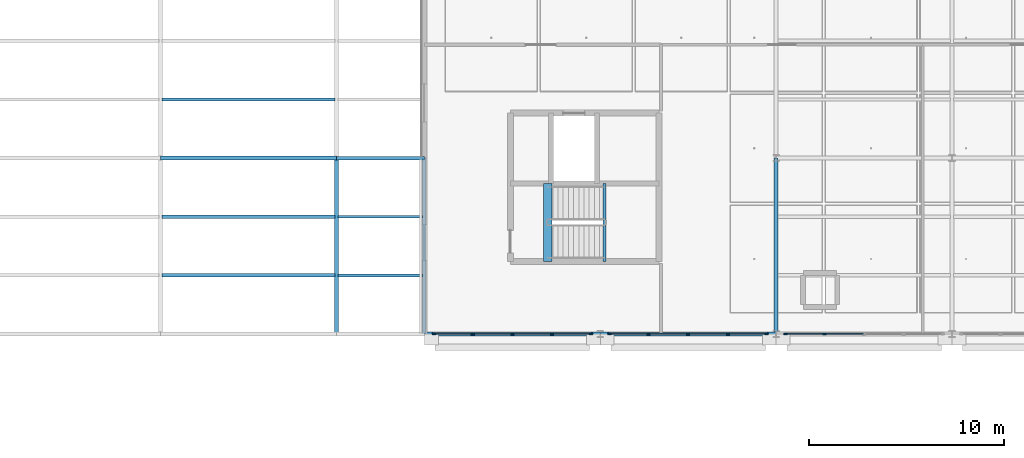
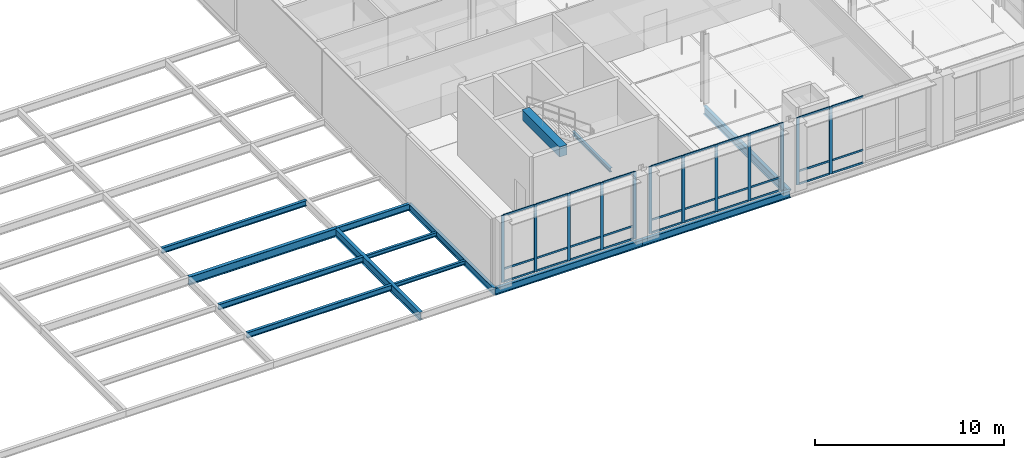
# One storey, part 28 of 66: 42 members, 14 beams, 3 elements without a shape of their own.
"""IFC4 building model written with IfcOpenShell, lengths in metres."""

from ifc_helpers import new_model, si_unit, direction, frame, origin, origin_2d, place, context, subcontext, project, spatial, rectangle, i_section, extrude, material, material_profile, profile_set, type_object, element, aggregate, save


model = new_model("IFC4")

# Units and contexts
model_context = context("Model", 3, precision=1e-05, world=origin(), true_north=direction((0.0, 1.0)))
body_context = subcontext(model_context, "Body", "Model", "MODEL_VIEW")
ifc_project = project(units=[si_unit("LENGTHUNIT", "METRE"), si_unit("AREAUNIT", "SQUARE_METRE"), si_unit("VOLUMEUNIT", "CUBIC_METRE"), si_unit("PLANEANGLEUNIT", "RADIAN"), si_unit("MASSUNIT", "GRAM", prefix="KILO"), si_unit("THERMODYNAMICTEMPERATUREUNIT", "KELVIN"), si_unit("POWERUNIT", "WATT")], contexts=[model_context])

# Site, building, storey
site_placement = place(None, origin())
site = spatial("IfcSite", under=ifc_project, at=site_placement, CompositionType="ELEMENT")
building_placement = place(site_placement, origin())
building = spatial("IfcBuilding", under=site, at=building_placement, Name="Tallowbark Science Centre", CompositionType="ELEMENT")
storey_placement = place(building_placement, frame((0.0, 0.0, 18.89990234375)))
storey = spatial("IfcBuildingStorey", under=building, at=storey_placement, Name="L04", CompositionType="ELEMENT", Elevation=18.89990234375)

# Beams
ifc_material_1 = material(Name="Concrete Grade N40 (40 MPa)", Category="concrete")
ifc_material_profile_1 = material_profile(ifc_material_1, rectangle(XDim=0.449951171875, YDim=0.64990234375, at=origin_2d()), Name="RC450x650")
ifc_profile_set_1 = profile_set([ifc_material_profile_1], Name="Concrete Grade N40 (40 MPa)")
beam_type_1 = type_object("IfcBeamType", Name="BM-GB2-N40", PredefinedType="BEAM", material=ifc_profile_set_1)
beam_1_placement = place(storey_placement, frame((118.81005859375, 75.699951171875, 4.175048828125), z_axis=(0.0, 1.0, 0.0), x_axis=(-1.0, 0.0, 0.0)))
element("IfcBeam", 1, at=beam_1_placement, inside=storey, type_object=beam_type_1, Name="Stair ST-02 Landing Nosing Beam L04", PredefinedType="BEAM", context=body_context, shape_type="SweptSolid", body=[
    extrude(rectangle(XDim=0.449951171875, YDim=0.64990234375, at=origin_2d()), origin(), (0.0, 0.0, 1.0), 3.9951171875),
])
ifc_material_2 = material(Name="Structural Steel Grade 300PLUS (300 MPa)", Category="steel")
ifc_material_profile_2 = material_profile(ifc_material_2, i_section(OverallWidth=0.177734375, OverallDepth=0.406494140625, WebThickness=0.0078125, FlangeThickness=0.0126953125, FilletRadius=0.011474609375, at=origin_2d()), Name="410UB59.7")
ifc_profile_set_2 = profile_set([ifc_material_profile_2], Name="Structural Steel Grade 300PLUS (300 MPa)")
beam_type_2 = type_object("IfcBeamType", Name="BM-UB410", PredefinedType="BEAM", material=ifc_profile_set_2)
beam_2_placement = place(storey_placement, frame((108.0, 81.0, -0.383056640625), z_axis=(1.0, 0.0, 0.0), x_axis=(0.0, 1.0, 0.0)))
element("IfcBeam", 2, at=beam_2_placement, inside=storey, type_object=beam_type_2, Name="Primary Girder GRDX-L04-1080-1125-810", PredefinedType="BEAM", context=body_context, shape_type="SweptSolid", body=[
    extrude(i_section(OverallWidth=0.177734375, OverallDepth=0.406494140625, WebThickness=0.0078125, FlangeThickness=0.0126953125, FilletRadius=0.011474609375, at=origin_2d()), origin(), (0.0, 0.0, 1.0), 4.5),
])
ifc_material_profile_3 = material_profile(ifc_material_2, i_section(OverallWidth=0.208984375, OverallDepth=0.532958984375, WebThickness=0.01025390625, FlangeThickness=0.015625, FilletRadius=0.013916015625, at=origin_2d()), Name="530UB92.4")
ifc_profile_set_3 = profile_set([ifc_material_profile_3], Name="Structural Steel Grade 300PLUS (300 MPa)")
beam_type_3 = type_object("IfcBeamType", Name="BM-UB530A", PredefinedType="BEAM", material=ifc_profile_set_3)
beam_3_placement = place(storey_placement, frame((99.0, 81.0, -0.4462890625), z_axis=(1.0, 0.0, 0.0), x_axis=(0.0, 1.0, 0.0)))
element("IfcBeam", 3, at=beam_3_placement, inside=storey, type_object=beam_type_3, Name="Primary Girder GRDX-L04-990-1080-810", PredefinedType="BEAM", context=body_context, shape_type="SweptSolid", body=[
    extrude(i_section(OverallWidth=0.208984375, OverallDepth=0.532958984375, WebThickness=0.01025390625, FlangeThickness=0.015625, FilletRadius=0.013916015625, at=origin_2d()), origin(), (0.0, 0.0, 1.0), 9.0),
])
ifc_material_profile_4 = material_profile(ifc_material_2, i_section(OverallWidth=0.208740234375, OverallDepth=0.5283203125, WebThickness=0.009521484375, FlangeThickness=0.01318359375, FilletRadius=0.013916015625, at=origin_2d()), Name="530UB82.0")
ifc_profile_set_4 = profile_set([ifc_material_profile_4], Name="Structural Steel Grade 300PLUS (300 MPa)")
beam_type_4 = type_object("IfcBeamType", Name="BM-UB530B", PredefinedType="BEAM", material=ifc_profile_set_4)
for number, where, z_axis, x_axis, name in (
    (4, (108.0, 72.0, -0.444091796875), (0.0, 1.0, 0.0), (-1.0, 0.0, 0.0), "Primary Girder GRDY-L04-1080-720-810"),
    (5, (130.5, 72.0, -0.444091796875), (0.0, 1.0, 0.0), (-1.0, 0.0, 0.0), "Primary Girder GRDY-L04-1305-720-810"),
):
    element("IfcBeam", number, at=place(storey_placement, frame(where, z_axis=z_axis, x_axis=x_axis)), inside=storey, type_object=beam_type_4, Name=name, PredefinedType="BEAM", context=body_context, shape_type="SweptSolid", body=[
        extrude(i_section(OverallWidth=0.208740234375, OverallDepth=0.5283203125, WebThickness=0.009521484375, FlangeThickness=0.01318359375, FilletRadius=0.013916015625, at=origin_2d()), origin(), (0.0, 0.0, 1.0), 9.0),
    ])

# Curtain wall, members
ifc_material_3 = material(Name="Unitised Thermally Broken Aluminium and Low-E Double Glazing", Category="aluminium")
curtain_wall_type = type_object("IfcCurtainWallType", Name="CW-SYS-FACADE", PredefinedType="NOTDEFINED", material=ifc_material_3)
curtain_wall_1_placement = place(storey_placement, origin())
curtain_wall_1 = element("IfcCurtainWall", 6, at=curtain_wall_1_placement, inside=storey, type_object=curtain_wall_type, Name="Unitised Curtain Wall OBS4-S-112 CW-L04-190", PredefinedType="NOTDEFINED")
ifc_material_4 = material(Name="Anodised Architectural Aluminium Alloy 6063-T6", Category="aluminium")
ifc_material_profile_5 = material_profile(ifc_material_4, rectangle(XDim=0.06494140625, YDim=0.179931640625, at=origin_2d()), Name="ALU65x180")
ifc_profile_set_5 = profile_set([ifc_material_profile_5], Name="Anodised Architectural Aluminium Alloy 6063-T6")
member_type_1 = type_object("IfcMemberType", Name="CWM-MUL-220", PredefinedType="MULLION", material=ifc_profile_set_5)
member_1_placement = place(storey_placement, frame((112.982421875, 72.0, 0.0), z_axis=(0.0, 0.0, 1.0), x_axis=(0.0, 1.0, 0.0)))
member_1 = element("IfcMember", 7, at=member_1_placement, type_object=member_type_1, Name="CW-01 mullion 1", PredefinedType="MULLION", context=body_context, shape_type="SweptSolid", body=[
    extrude(rectangle(XDim=0.06494140625, YDim=0.179931640625, at=origin_2d()), origin(), (0.0, 0.0, 1.0), 4.320068359375),
])
member_2_placement = place(storey_placement, frame((114.97509765625, 72.0, 0.0), z_axis=(0.0, 0.0, 1.0), x_axis=(0.0, 1.0, 0.0)))
member_2 = element("IfcMember", 8, at=member_2_placement, type_object=member_type_1, Name="CW-01 mullion 2", PredefinedType="MULLION", context=body_context, shape_type="SweptSolid", body=[
    extrude(rectangle(XDim=0.06494140625, YDim=0.179931640625, at=origin_2d()), origin(), (0.0, 0.0, 1.0), 4.320068359375),
])
member_3_placement = place(storey_placement, frame((117.0, 72.0, 0.0), z_axis=(0.0, 0.0, 1.0), x_axis=(0.0, 1.0, 0.0)))
member_3 = element("IfcMember", 9, at=member_3_placement, type_object=member_type_1, Name="CW-01 mullion 3", PredefinedType="MULLION", context=body_context, shape_type="SweptSolid", body=[
    extrude(rectangle(XDim=0.06494140625, YDim=0.179931640625, at=origin_2d()), origin(), (0.0, 0.0, 1.0), 4.320068359375),
])
member_4_placement = place(storey_placement, frame((119.02490234375, 72.0, 0.0), z_axis=(0.0, 0.0, 1.0), x_axis=(0.0, 1.0, 0.0)))
member_4 = element("IfcMember", 10, at=member_4_placement, type_object=member_type_1, Name="CW-01 mullion 4", PredefinedType="MULLION", context=body_context, shape_type="SweptSolid", body=[
    extrude(rectangle(XDim=0.06494140625, YDim=0.179931640625, at=origin_2d()), origin(), (0.0, 0.0, 1.0), 4.320068359375),
])
member_5_placement = place(storey_placement, frame((121.017578125, 72.0, 0.0), z_axis=(0.0, 0.0, 1.0), x_axis=(0.0, 1.0, 0.0)))
member_5 = element("IfcMember", 11, at=member_5_placement, type_object=member_type_1, Name="CW-01 mullion 5", PredefinedType="MULLION", context=body_context, shape_type="SweptSolid", body=[
    extrude(rectangle(XDim=0.06494140625, YDim=0.179931640625, at=origin_2d()), origin(), (0.0, 0.0, 1.0), 4.320068359375),
])

curtain_wall_2_placement = place(storey_placement, origin())
curtain_wall_2 = element("IfcCurtainWall", 12, at=curtain_wall_2_placement, inside=storey, type_object=curtain_wall_type, Name="Unitised Curtain Wall OBS4-S-121 CW-L04-192", PredefinedType="NOTDEFINED")
member_6_placement = place(storey_placement, frame((121.982421875, 72.0, 0.0), z_axis=(0.0, 0.0, 1.0), x_axis=(0.0, 1.0, 0.0)))
member_6 = element("IfcMember", 13, at=member_6_placement, type_object=member_type_1, Name="CW-01 mullion 1", PredefinedType="MULLION", context=body_context, shape_type="SweptSolid", body=[
    extrude(rectangle(XDim=0.06494140625, YDim=0.179931640625, at=origin_2d()), origin(), (0.0, 0.0, 1.0), 4.320068359375),
])
member_7_placement = place(storey_placement, frame((123.97509765625, 72.0, 0.0), z_axis=(0.0, 0.0, 1.0), x_axis=(0.0, 1.0, 0.0)))
member_7 = element("IfcMember", 14, at=member_7_placement, type_object=member_type_1, Name="CW-01 mullion 2", PredefinedType="MULLION", context=body_context, shape_type="SweptSolid", body=[
    extrude(rectangle(XDim=0.06494140625, YDim=0.179931640625, at=origin_2d()), origin(), (0.0, 0.0, 1.0), 4.320068359375),
])
member_8_placement = place(storey_placement, frame((126.0, 72.0, 0.0), z_axis=(0.0, 0.0, 1.0), x_axis=(0.0, 1.0, 0.0)))
member_8 = element("IfcMember", 15, at=member_8_placement, type_object=member_type_1, Name="CW-01 mullion 3", PredefinedType="MULLION", context=body_context, shape_type="SweptSolid", body=[
    extrude(rectangle(XDim=0.06494140625, YDim=0.179931640625, at=origin_2d()), origin(), (0.0, 0.0, 1.0), 4.320068359375),
])
member_9_placement = place(storey_placement, frame((128.02490234375, 72.0, 0.0), z_axis=(0.0, 0.0, 1.0), x_axis=(0.0, 1.0, 0.0)))
member_9 = element("IfcMember", 16, at=member_9_placement, type_object=member_type_1, Name="CW-01 mullion 4", PredefinedType="MULLION", context=body_context, shape_type="SweptSolid", body=[
    extrude(rectangle(XDim=0.06494140625, YDim=0.179931640625, at=origin_2d()), origin(), (0.0, 0.0, 1.0), 4.320068359375),
])
member_10_placement = place(storey_placement, frame((130.017578125, 72.0, 0.0), z_axis=(0.0, 0.0, 1.0), x_axis=(0.0, 1.0, 0.0)))
member_10 = element("IfcMember", 17, at=member_10_placement, type_object=member_type_1, Name="CW-01 mullion 5", PredefinedType="MULLION", context=body_context, shape_type="SweptSolid", body=[
    extrude(rectangle(XDim=0.06494140625, YDim=0.179931640625, at=origin_2d()), origin(), (0.0, 0.0, 1.0), 4.320068359375),
])

curtain_wall_3_placement = place(storey_placement, origin())
curtain_wall_3 = element("IfcCurtainWall", 18, at=curtain_wall_3_placement, inside=storey, type_object=curtain_wall_type, Name="Unitised Curtain Wall OBS4-S-130 CW-L04-193", PredefinedType="NOTDEFINED")
member_11_placement = place(storey_placement, frame((130.982421875, 72.0, 0.0), z_axis=(0.0, 0.0, 1.0), x_axis=(0.0, 1.0, 0.0)))
member_11 = element("IfcMember", 19, at=member_11_placement, type_object=member_type_1, Name="CW-01 mullion 1", PredefinedType="MULLION", context=body_context, shape_type="SweptSolid", body=[
    extrude(rectangle(XDim=0.06494140625, YDim=0.179931640625, at=origin_2d()), origin(), (0.0, 0.0, 1.0), 4.320068359375),
])
member_12_placement = place(storey_placement, frame((132.97509765625, 72.0, 0.0), z_axis=(0.0, 0.0, 1.0), x_axis=(0.0, 1.0, 0.0)))
member_12 = element("IfcMember", 20, at=member_12_placement, type_object=member_type_1, Name="CW-01 mullion 2", PredefinedType="MULLION", context=body_context, shape_type="SweptSolid", body=[
    extrude(rectangle(XDim=0.06494140625, YDim=0.179931640625, at=origin_2d()), origin(), (0.0, 0.0, 1.0), 4.320068359375),
])

# Member
ifc_material_profile_6 = material_profile(ifc_material_4, rectangle(XDim=0.054931640625, YDim=0.1201171875, at=origin_2d()), Name="ALU55x120")
ifc_profile_set_6 = profile_set([ifc_material_profile_6], Name="Anodised Architectural Aluminium Alloy 6063-T6")
member_type_2 = type_object("IfcMemberType", Name="CWM-TRN-150", PredefinedType="USERDEFINED", material=ifc_profile_set_6)
member_13_placement = place(storey_placement, frame((113.014892578125, 72.0, 0.027587890625), z_axis=(1.0, 0.0, 0.0), x_axis=(0.0, 1.0, 0.0)))
member_13 = element("IfcMember", 21, at=member_13_placement, type_object=member_type_2, Name="CW-01 transom 1.1", ObjectType="TRANSOM", PredefinedType="USERDEFINED", context=body_context, shape_type="SweptSolid", body=[
    extrude(rectangle(XDim=0.054931640625, YDim=0.1201171875, at=origin_2d()), origin(), (0.0, 0.0, 1.0), 1.927490234375),
])

member_14_placement = place(storey_placement, frame((113.014892578125, 72.0, 0.85009765625), z_axis=(1.0, 0.0, 0.0), x_axis=(0.0, 1.0, 0.0)))
member_14 = element("IfcMember", 22, at=member_14_placement, type_object=member_type_2, Name="CW-01 transom 1.2", ObjectType="TRANSOM", PredefinedType="USERDEFINED", context=body_context, shape_type="SweptSolid", body=[
    extrude(rectangle(XDim=0.054931640625, YDim=0.1201171875, at=origin_2d()), origin(), (0.0, 0.0, 1.0), 1.927490234375),
])

member_15_placement = place(storey_placement, frame((113.014892578125, 72.0, 4.29248046875), z_axis=(1.0, 0.0, 0.0), x_axis=(0.0, 1.0, 0.0)))
member_15 = element("IfcMember", 23, at=member_15_placement, type_object=member_type_2, Name="CW-01 transom 1.3", ObjectType="TRANSOM", PredefinedType="USERDEFINED", context=body_context, shape_type="SweptSolid", body=[
    extrude(rectangle(XDim=0.054931640625, YDim=0.1201171875, at=origin_2d()), origin(), (0.0, 0.0, 1.0), 1.927490234375),
])

member_16_placement = place(storey_placement, frame((115.007568359375, 72.0, 0.027587890625), z_axis=(1.0, 0.0, 0.0), x_axis=(0.0, 1.0, 0.0)))
member_16 = element("IfcMember", 24, at=member_16_placement, type_object=member_type_2, Name="CW-01 transom 2.1", ObjectType="TRANSOM", PredefinedType="USERDEFINED", context=body_context, shape_type="SweptSolid", body=[
    extrude(rectangle(XDim=0.054931640625, YDim=0.1201171875, at=origin_2d()), origin(), (0.0, 0.0, 1.0), 1.9599609375),
])

member_17_placement = place(storey_placement, frame((115.007568359375, 72.0, 0.85009765625), z_axis=(1.0, 0.0, 0.0), x_axis=(0.0, 1.0, 0.0)))
member_17 = element("IfcMember", 25, at=member_17_placement, type_object=member_type_2, Name="CW-01 transom 2.2", ObjectType="TRANSOM", PredefinedType="USERDEFINED", context=body_context, shape_type="SweptSolid", body=[
    extrude(rectangle(XDim=0.054931640625, YDim=0.1201171875, at=origin_2d()), origin(), (0.0, 0.0, 1.0), 1.9599609375),
])

member_18_placement = place(storey_placement, frame((115.007568359375, 72.0, 4.29248046875), z_axis=(1.0, 0.0, 0.0), x_axis=(0.0, 1.0, 0.0)))
member_18 = element("IfcMember", 26, at=member_18_placement, type_object=member_type_2, Name="CW-01 transom 2.3", ObjectType="TRANSOM", PredefinedType="USERDEFINED", context=body_context, shape_type="SweptSolid", body=[
    extrude(rectangle(XDim=0.054931640625, YDim=0.1201171875, at=origin_2d()), origin(), (0.0, 0.0, 1.0), 1.9599609375),
])

member_19_placement = place(storey_placement, frame((117.032470703125, 72.0, 0.027587890625), z_axis=(1.0, 0.0, 0.0), x_axis=(0.0, 1.0, 0.0)))
member_19 = element("IfcMember", 27, at=member_19_placement, type_object=member_type_2, Name="CW-01 transom 3.1", ObjectType="TRANSOM", PredefinedType="USERDEFINED", context=body_context, shape_type="SweptSolid", body=[
    extrude(rectangle(XDim=0.054931640625, YDim=0.1201171875, at=origin_2d()), origin(), (0.0, 0.0, 1.0), 1.9599609375),
])

member_20_placement = place(storey_placement, frame((117.032470703125, 72.0, 0.85009765625), z_axis=(1.0, 0.0, 0.0), x_axis=(0.0, 1.0, 0.0)))
member_20 = element("IfcMember", 28, at=member_20_placement, type_object=member_type_2, Name="CW-01 transom 3.2", ObjectType="TRANSOM", PredefinedType="USERDEFINED", context=body_context, shape_type="SweptSolid", body=[
    extrude(rectangle(XDim=0.054931640625, YDim=0.1201171875, at=origin_2d()), origin(), (0.0, 0.0, 1.0), 1.9599609375),
])

member_21_placement = place(storey_placement, frame((117.032470703125, 72.0, 4.29248046875), z_axis=(1.0, 0.0, 0.0), x_axis=(0.0, 1.0, 0.0)))
member_21 = element("IfcMember", 29, at=member_21_placement, type_object=member_type_2, Name="CW-01 transom 3.3", ObjectType="TRANSOM", PredefinedType="USERDEFINED", context=body_context, shape_type="SweptSolid", body=[
    extrude(rectangle(XDim=0.054931640625, YDim=0.1201171875, at=origin_2d()), origin(), (0.0, 0.0, 1.0), 1.9599609375),
])

member_22_placement = place(storey_placement, frame((119.0576171875, 72.0, 0.027587890625), z_axis=(1.0, 0.0, 0.0), x_axis=(0.0, 1.0, 0.0)))
member_22 = element("IfcMember", 30, at=member_22_placement, type_object=member_type_2, Name="CW-01 transom 4.1", ObjectType="TRANSOM", PredefinedType="USERDEFINED", context=body_context, shape_type="SweptSolid", body=[
    extrude(rectangle(XDim=0.054931640625, YDim=0.1201171875, at=origin_2d()), origin(), (0.0, 0.0, 1.0), 1.927490234375),
])

member_23_placement = place(storey_placement, frame((119.0576171875, 72.0, 0.85009765625), z_axis=(1.0, 0.0, 0.0), x_axis=(0.0, 1.0, 0.0)))
member_23 = element("IfcMember", 31, at=member_23_placement, type_object=member_type_2, Name="CW-01 transom 4.2", ObjectType="TRANSOM", PredefinedType="USERDEFINED", context=body_context, shape_type="SweptSolid", body=[
    extrude(rectangle(XDim=0.054931640625, YDim=0.1201171875, at=origin_2d()), origin(), (0.0, 0.0, 1.0), 1.927490234375),
])

member_24_placement = place(storey_placement, frame((119.0576171875, 72.0, 4.29248046875), z_axis=(1.0, 0.0, 0.0), x_axis=(0.0, 1.0, 0.0)))
member_24 = element("IfcMember", 32, at=member_24_placement, type_object=member_type_2, Name="CW-01 transom 4.3", ObjectType="TRANSOM", PredefinedType="USERDEFINED", context=body_context, shape_type="SweptSolid", body=[
    extrude(rectangle(XDim=0.054931640625, YDim=0.1201171875, at=origin_2d()), origin(), (0.0, 0.0, 1.0), 1.927490234375),
])

aggregate(curtain_wall_1, [member_1, member_2, member_3, member_4, member_5, member_13, member_14, member_15, member_16, member_17, member_18, member_19, member_20, member_21, member_22, member_23, member_24])

member_25_placement = place(storey_placement, frame((122.014892578125, 72.0, 0.027587890625), z_axis=(1.0, 0.0, 0.0), x_axis=(0.0, 1.0, 0.0)))
member_25 = element("IfcMember", 33, at=member_25_placement, type_object=member_type_2, Name="CW-01 transom 1.1", ObjectType="TRANSOM", PredefinedType="USERDEFINED", context=body_context, shape_type="SweptSolid", body=[
    extrude(rectangle(XDim=0.054931640625, YDim=0.1201171875, at=origin_2d()), origin(), (0.0, 0.0, 1.0), 1.927490234375),
])

member_26_placement = place(storey_placement, frame((122.014892578125, 72.0, 0.85009765625), z_axis=(1.0, 0.0, 0.0), x_axis=(0.0, 1.0, 0.0)))
member_26 = element("IfcMember", 34, at=member_26_placement, type_object=member_type_2, Name="CW-01 transom 1.2", ObjectType="TRANSOM", PredefinedType="USERDEFINED", context=body_context, shape_type="SweptSolid", body=[
    extrude(rectangle(XDim=0.054931640625, YDim=0.1201171875, at=origin_2d()), origin(), (0.0, 0.0, 1.0), 1.927490234375),
])

member_27_placement = place(storey_placement, frame((122.014892578125, 72.0, 4.29248046875), z_axis=(1.0, 0.0, 0.0), x_axis=(0.0, 1.0, 0.0)))
member_27 = element("IfcMember", 35, at=member_27_placement, type_object=member_type_2, Name="CW-01 transom 1.3", ObjectType="TRANSOM", PredefinedType="USERDEFINED", context=body_context, shape_type="SweptSolid", body=[
    extrude(rectangle(XDim=0.054931640625, YDim=0.1201171875, at=origin_2d()), origin(), (0.0, 0.0, 1.0), 1.927490234375),
])

member_28_placement = place(storey_placement, frame((124.007568359375, 72.0, 0.027587890625), z_axis=(1.0, 0.0, 0.0), x_axis=(0.0, 1.0, 0.0)))
member_28 = element("IfcMember", 36, at=member_28_placement, type_object=member_type_2, Name="CW-01 transom 2.1", ObjectType="TRANSOM", PredefinedType="USERDEFINED", context=body_context, shape_type="SweptSolid", body=[
    extrude(rectangle(XDim=0.054931640625, YDim=0.1201171875, at=origin_2d()), origin(), (0.0, 0.0, 1.0), 1.9599609375),
])

member_29_placement = place(storey_placement, frame((124.007568359375, 72.0, 0.85009765625), z_axis=(1.0, 0.0, 0.0), x_axis=(0.0, 1.0, 0.0)))
member_29 = element("IfcMember", 37, at=member_29_placement, type_object=member_type_2, Name="CW-01 transom 2.2", ObjectType="TRANSOM", PredefinedType="USERDEFINED", context=body_context, shape_type="SweptSolid", body=[
    extrude(rectangle(XDim=0.054931640625, YDim=0.1201171875, at=origin_2d()), origin(), (0.0, 0.0, 1.0), 1.9599609375),
])

member_30_placement = place(storey_placement, frame((124.007568359375, 72.0, 4.29248046875), z_axis=(1.0, 0.0, 0.0), x_axis=(0.0, 1.0, 0.0)))
member_30 = element("IfcMember", 38, at=member_30_placement, type_object=member_type_2, Name="CW-01 transom 2.3", ObjectType="TRANSOM", PredefinedType="USERDEFINED", context=body_context, shape_type="SweptSolid", body=[
    extrude(rectangle(XDim=0.054931640625, YDim=0.1201171875, at=origin_2d()), origin(), (0.0, 0.0, 1.0), 1.9599609375),
])

member_31_placement = place(storey_placement, frame((126.032470703125, 72.0, 0.027587890625), z_axis=(1.0, 0.0, 0.0), x_axis=(0.0, 1.0, 0.0)))
member_31 = element("IfcMember", 39, at=member_31_placement, type_object=member_type_2, Name="CW-01 transom 3.1", ObjectType="TRANSOM", PredefinedType="USERDEFINED", context=body_context, shape_type="SweptSolid", body=[
    extrude(rectangle(XDim=0.054931640625, YDim=0.1201171875, at=origin_2d()), origin(), (0.0, 0.0, 1.0), 1.9599609375),
])

member_32_placement = place(storey_placement, frame((126.032470703125, 72.0, 0.85009765625), z_axis=(1.0, 0.0, 0.0), x_axis=(0.0, 1.0, 0.0)))
member_32 = element("IfcMember", 40, at=member_32_placement, type_object=member_type_2, Name="CW-01 transom 3.2", ObjectType="TRANSOM", PredefinedType="USERDEFINED", context=body_context, shape_type="SweptSolid", body=[
    extrude(rectangle(XDim=0.054931640625, YDim=0.1201171875, at=origin_2d()), origin(), (0.0, 0.0, 1.0), 1.9599609375),
])

member_33_placement = place(storey_placement, frame((126.032470703125, 72.0, 4.29248046875), z_axis=(1.0, 0.0, 0.0), x_axis=(0.0, 1.0, 0.0)))
member_33 = element("IfcMember", 41, at=member_33_placement, type_object=member_type_2, Name="CW-01 transom 3.3", ObjectType="TRANSOM", PredefinedType="USERDEFINED", context=body_context, shape_type="SweptSolid", body=[
    extrude(rectangle(XDim=0.054931640625, YDim=0.1201171875, at=origin_2d()), origin(), (0.0, 0.0, 1.0), 1.9599609375),
])

member_34_placement = place(storey_placement, frame((128.0576171875, 72.0, 0.027587890625), z_axis=(1.0, 0.0, 0.0), x_axis=(0.0, 1.0, 0.0)))
member_34 = element("IfcMember", 42, at=member_34_placement, type_object=member_type_2, Name="CW-01 transom 4.1", ObjectType="TRANSOM", PredefinedType="USERDEFINED", context=body_context, shape_type="SweptSolid", body=[
    extrude(rectangle(XDim=0.054931640625, YDim=0.1201171875, at=origin_2d()), origin(), (0.0, 0.0, 1.0), 1.927490234375),
])

member_35_placement = place(storey_placement, frame((128.0576171875, 72.0, 0.85009765625), z_axis=(1.0, 0.0, 0.0), x_axis=(0.0, 1.0, 0.0)))
member_35 = element("IfcMember", 43, at=member_35_placement, type_object=member_type_2, Name="CW-01 transom 4.2", ObjectType="TRANSOM", PredefinedType="USERDEFINED", context=body_context, shape_type="SweptSolid", body=[
    extrude(rectangle(XDim=0.054931640625, YDim=0.1201171875, at=origin_2d()), origin(), (0.0, 0.0, 1.0), 1.927490234375),
])

member_36_placement = place(storey_placement, frame((128.0576171875, 72.0, 4.29248046875), z_axis=(1.0, 0.0, 0.0), x_axis=(0.0, 1.0, 0.0)))
member_36 = element("IfcMember", 44, at=member_36_placement, type_object=member_type_2, Name="CW-01 transom 4.3", ObjectType="TRANSOM", PredefinedType="USERDEFINED", context=body_context, shape_type="SweptSolid", body=[
    extrude(rectangle(XDim=0.054931640625, YDim=0.1201171875, at=origin_2d()), origin(), (0.0, 0.0, 1.0), 1.927490234375),
])

aggregate(curtain_wall_2, [member_6, member_7, member_8, member_9, member_10, member_25, member_26, member_27, member_28, member_29, member_30, member_31, member_32, member_33, member_34, member_35, member_36])

member_37_placement = place(storey_placement, frame((131.014892578125, 72.0, 0.027587890625), z_axis=(1.0, 0.0, 0.0), x_axis=(0.0, 1.0, 0.0)))
member_37 = element("IfcMember", 45, at=member_37_placement, type_object=member_type_2, Name="CW-01 transom 1.1", ObjectType="TRANSOM", PredefinedType="USERDEFINED", context=body_context, shape_type="SweptSolid", body=[
    extrude(rectangle(XDim=0.054931640625, YDim=0.1201171875, at=origin_2d()), origin(), (0.0, 0.0, 1.0), 1.927490234375),
])

member_38_placement = place(storey_placement, frame((131.014892578125, 72.0, 0.85009765625), z_axis=(1.0, 0.0, 0.0), x_axis=(0.0, 1.0, 0.0)))
member_38 = element("IfcMember", 46, at=member_38_placement, type_object=member_type_2, Name="CW-01 transom 1.2", ObjectType="TRANSOM", PredefinedType="USERDEFINED", context=body_context, shape_type="SweptSolid", body=[
    extrude(rectangle(XDim=0.054931640625, YDim=0.1201171875, at=origin_2d()), origin(), (0.0, 0.0, 1.0), 1.927490234375),
])

member_39_placement = place(storey_placement, frame((131.014892578125, 72.0, 4.29248046875), z_axis=(1.0, 0.0, 0.0), x_axis=(0.0, 1.0, 0.0)))
member_39 = element("IfcMember", 47, at=member_39_placement, type_object=member_type_2, Name="CW-01 transom 1.3", ObjectType="TRANSOM", PredefinedType="USERDEFINED", context=body_context, shape_type="SweptSolid", body=[
    extrude(rectangle(XDim=0.054931640625, YDim=0.1201171875, at=origin_2d()), origin(), (0.0, 0.0, 1.0), 1.927490234375),
])

member_40_placement = place(storey_placement, frame((133.007568359375, 72.0, 0.027587890625), z_axis=(1.0, 0.0, 0.0), x_axis=(0.0, 1.0, 0.0)))
member_40 = element("IfcMember", 48, at=member_40_placement, type_object=member_type_2, Name="CW-01 transom 2.1", ObjectType="TRANSOM", PredefinedType="USERDEFINED", context=body_context, shape_type="SweptSolid", body=[
    extrude(rectangle(XDim=0.054931640625, YDim=0.1201171875, at=origin_2d()), origin(), (0.0, 0.0, 1.0), 1.9599609375),
])

member_41_placement = place(storey_placement, frame((133.007568359375, 72.0, 0.85009765625), z_axis=(1.0, 0.0, 0.0), x_axis=(0.0, 1.0, 0.0)))
member_41 = element("IfcMember", 49, at=member_41_placement, type_object=member_type_2, Name="CW-01 transom 2.2", ObjectType="TRANSOM", PredefinedType="USERDEFINED", context=body_context, shape_type="SweptSolid", body=[
    extrude(rectangle(XDim=0.054931640625, YDim=0.1201171875, at=origin_2d()), origin(), (0.0, 0.0, 1.0), 1.9599609375),
])

member_42_placement = place(storey_placement, frame((133.007568359375, 72.0, 4.29248046875), z_axis=(1.0, 0.0, 0.0), x_axis=(0.0, 1.0, 0.0)))
member_42 = element("IfcMember", 50, at=member_42_placement, type_object=member_type_2, Name="CW-01 transom 2.3", ObjectType="TRANSOM", PredefinedType="USERDEFINED", context=body_context, shape_type="SweptSolid", body=[
    extrude(rectangle(XDim=0.054931640625, YDim=0.1201171875, at=origin_2d()), origin(), (0.0, 0.0, 1.0), 1.9599609375),
])

aggregate(curtain_wall_3, [member_11, member_12, member_37, member_38, member_39, member_40, member_41, member_42])

# Beams
ifc_material_profile_7 = material_profile(ifc_material_2, i_section(OverallWidth=0.146484375, OverallDepth=0.256103515625, WebThickness=0.00634765625, FlangeThickness=0.010986328125, FilletRadius=0.0087890625, at=origin_2d()), Name="250UB37.3")
ifc_profile_set_7 = profile_set([ifc_material_profile_7], Name="Structural Steel Grade 300PLUS (300 MPa)")
beam_type_5 = type_object("IfcBeamType", Name="JST-UB250", PredefinedType="JOIST", material=ifc_profile_set_7)
beam_4_placement = place(storey_placement, frame((121.72509765625, 75.699951171875, 1.922119140625), z_axis=(0.0, 1.0, 0.0), x_axis=(-1.0, 0.0, 0.0)))
element("IfcBeam", 51, at=beam_4_placement, inside=storey, type_object=beam_type_5, Name="Stair ST-02 Half-Landing Trimmer L04", PredefinedType="JOIST", context=body_context, shape_type="SweptSolid", body=[
    extrude(i_section(OverallWidth=0.146484375, OverallDepth=0.256103515625, WebThickness=0.00634765625, FlangeThickness=0.010986328125, FilletRadius=0.0087890625, at=origin_2d()), origin(), (0.0, 0.0, 1.0), 3.9951171875),
])
for number, where, z_axis, x_axis, name in (
    (52, (108.0849609375, 75.0, -0.30810546875), (1.0, 0.0, 0.0), (0.0, 1.0, 0.0), "Composite Floor Joist JSTX-L04-1080-750"),
    (53, (108.0849609375, 78.0, -0.30810546875), (1.0, 0.0, 0.0), (0.0, 1.0, 0.0), "Composite Floor Joist JSTX-L04-1080-780"),
):
    element("IfcBeam", number, at=place(storey_placement, frame(where, z_axis=z_axis, x_axis=x_axis)), inside=storey, type_object=beam_type_5, Name=name, PredefinedType="JOIST", context=body_context, shape_type="SweptSolid", body=[
        extrude(i_section(OverallWidth=0.146484375, OverallDepth=0.256103515625, WebThickness=0.00634765625, FlangeThickness=0.010986328125, FilletRadius=0.0087890625, at=origin_2d()), origin(), (0.0, 0.0, 1.0), 4.330078125),
    ])
ifc_material_profile_8 = material_profile(ifc_material_2, i_section(OverallWidth=0.172119140625, OverallDepth=0.358642578125, WebThickness=0.008056640625, FlangeThickness=0.012939453125, FilletRadius=0.011474609375, at=origin_2d()), Name="360UB56.7")
ifc_profile_set_8 = profile_set([ifc_material_profile_8], Name="Structural Steel Grade 300PLUS (300 MPa)")
beam_type_6 = type_object("IfcBeamType", Name="JST-UB360", PredefinedType="JOIST", material=ifc_profile_set_8)
for number, where, z_axis, x_axis, name in (
    (54, (99.0849609375, 75.0, -0.359130859375), (1.0, 0.0, 0.0), (0.0, 1.0, 0.0), "Composite Floor Joist JSTX-L04-990-750"),
    (55, (99.0849609375, 78.0, -0.359130859375), (1.0, 0.0, 0.0), (0.0, 1.0, 0.0), "Composite Floor Joist JSTX-L04-990-780"),
    (56, (99.0849609375, 84.0, -0.359130859375), (1.0, 0.0, 0.0), (0.0, 1.0, 0.0), "Composite Floor Joist JSTX-L04-990-840"),
):
    element("IfcBeam", number, at=place(storey_placement, frame(where, z_axis=z_axis, x_axis=x_axis)), inside=storey, type_object=beam_type_6, Name=name, PredefinedType="JOIST", context=body_context, shape_type="SweptSolid", body=[
        extrude(i_section(OverallWidth=0.172119140625, OverallDepth=0.358642578125, WebThickness=0.008056640625, FlangeThickness=0.012939453125, FilletRadius=0.011474609375, at=origin_2d()), origin(), (0.0, 0.0, 1.0), 8.830078125),
    ])
ifc_material_profile_9 = material_profile(ifc_material_2, i_section(OverallWidth=0.18994140625, OverallDepth=0.453857421875, WebThickness=0.008544921875, FlangeThickness=0.0126953125, FilletRadius=0.011474609375, at=origin_2d()), Name="460UB67.1")
ifc_profile_set_9 = profile_set([ifc_material_profile_9], Name="Structural Steel Grade 300PLUS (300 MPa)")
beam_type_7 = type_object("IfcBeamType", Name="SPN-UB460", PredefinedType="SPANDREL", material=ifc_profile_set_9)
for number, where, z_axis, x_axis, name in (
    (57, (112.5, 72.0, -0.40673828125), (1.0, 0.0, 0.0), (0.0, 1.0, 0.0), "Primary Girder GRDX-L04-1125-1215-720"),
    (58, (121.5, 72.0, -0.40673828125), (1.0, 0.0, 0.0), (0.0, 1.0, 0.0), "Primary Girder GRDX-L04-1215-1305-720"),
    (59, (112.5, 72.0, -0.40673828125), (0.0, 1.0, 0.0), (-1.0, 0.0, 0.0), "Primary Girder GRDY-L04-1125-720-810"),
):
    element("IfcBeam", number, at=place(storey_placement, frame(where, z_axis=z_axis, x_axis=x_axis)), inside=storey, type_object=beam_type_7, Name=name, PredefinedType="SPANDREL", context=body_context, shape_type="SweptSolid", body=[
        extrude(i_section(OverallWidth=0.18994140625, OverallDepth=0.453857421875, WebThickness=0.008544921875, FlangeThickness=0.0126953125, FilletRadius=0.011474609375, at=origin_2d()), origin(), (0.0, 0.0, 1.0), 9.0),
    ])

save(model, "model.ifc")
